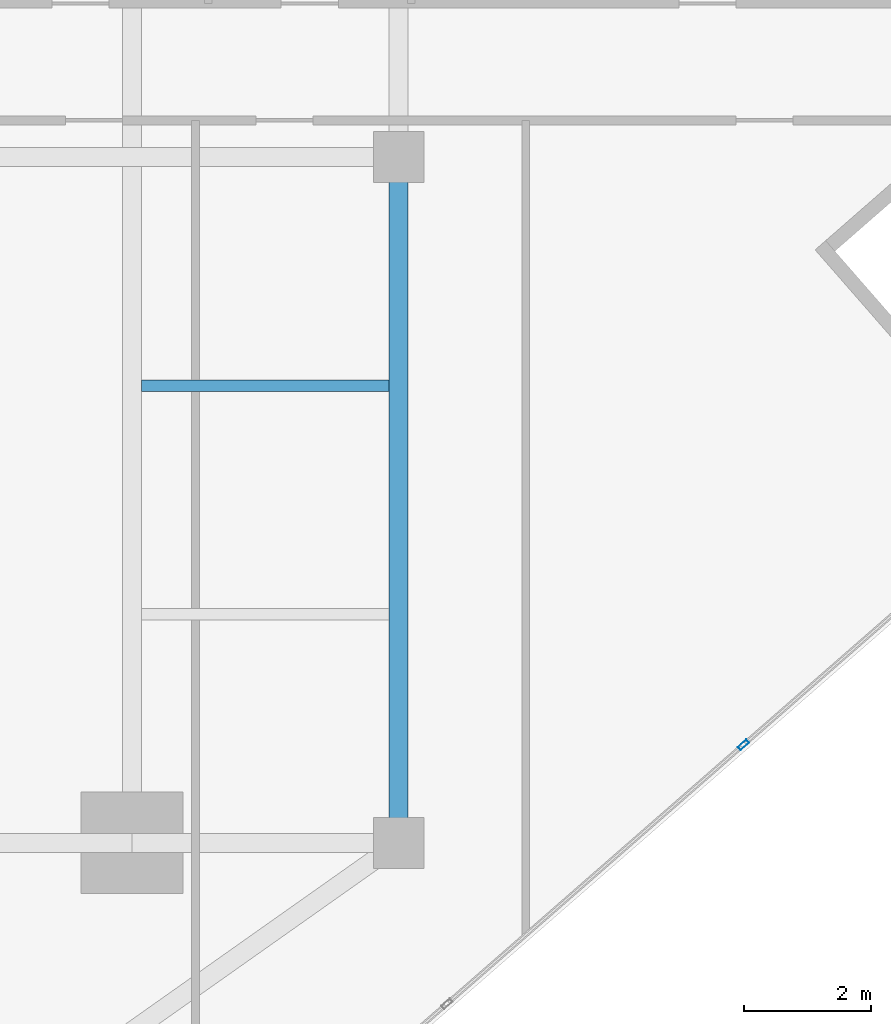
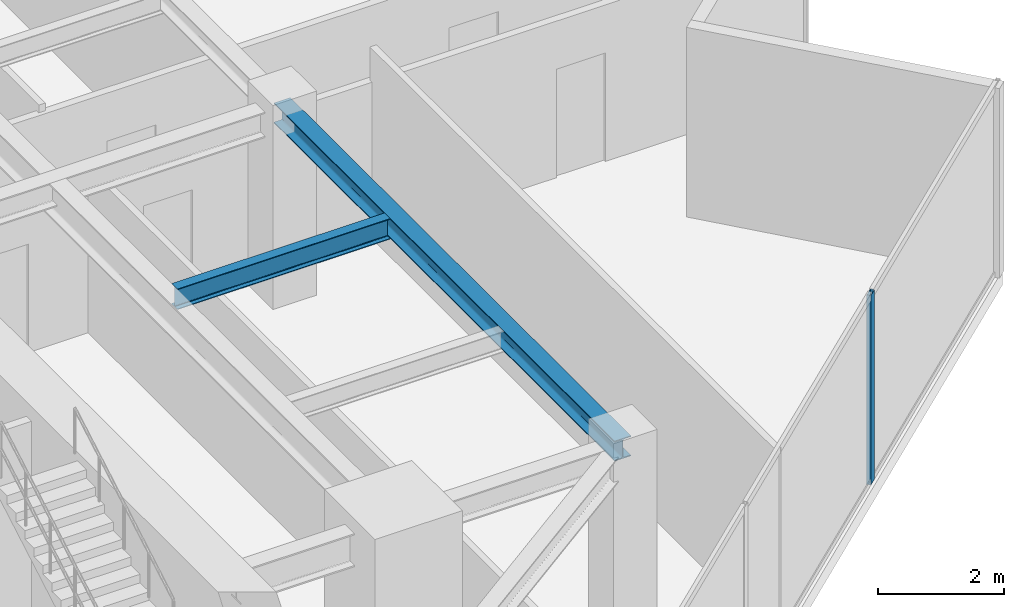
# One storey, part 10 of 24: 2 beams, 1 member, 1 element without a shape of its own.
"""IFC4 building model written with IfcOpenShell, lengths in metres."""

from ifc_helpers import new_model, si_unit, direction, frame, origin, origin_2d, place, context, subcontext, project, spatial, hollow_rectangle, i_section, extrude, source, transform, mapped, material, material_profile, profile_set, type_object, type_shapes, element, aggregate, save


model = new_model("IFC4")

# Units and contexts
model_context = context("Model", 3, precision=1e-05, world=origin(), true_north=direction((0.0, 1.0)))
body_context = subcontext(model_context, "Body", "Model", "MODEL_VIEW")
ifc_project = project(units=[si_unit("LENGTHUNIT", "METRE"), si_unit("AREAUNIT", "SQUARE_METRE"), si_unit("VOLUMEUNIT", "CUBIC_METRE"), si_unit("PLANEANGLEUNIT", "RADIAN"), si_unit("MASSUNIT", "GRAM", prefix="KILO")], contexts=[model_context])

# Site, building, storey
site_placement = place(None, origin())
site = spatial("IfcSite", under=ifc_project, at=site_placement, CompositionType="ELEMENT")
building_placement = place(site_placement, origin())
building = spatial("IfcBuilding", under=site, at=building_placement, Name="Krantzveldt Concourse Tower", CompositionType="ELEMENT")
storey_placement = place(building_placement, frame((0.0, 0.0, 250.75)))
storey = spatial("IfcBuildingStorey", under=building, at=storey_placement, Name="L61", CompositionType="ELEMENT", Elevation=250.75)

# Beams
ifc_material_1 = material(Name="Steel S355JR", Category="steel")
ifc_material_profile_1 = material_profile(ifc_material_1, i_section(OverallWidth=0.300048828125, OverallDepth=0.389892578125, WebThickness=0.010986328125, FlangeThickness=0.01904296875, FilletRadius=0.027099609375, at=origin_2d()), Name="Steel S355JR", Category="steel")
ifc_profile_set_1 = profile_set([ifc_material_profile_1], Name="Steel S355JR - HEA 400")
beam_type_1 = type_object("IfcBeamType", Name="BM-SP-HEA400", PredefinedType="SPANDREL", material=ifc_profile_set_1)
shared_shape_1 = source(origin(), body_context, "Body", "SweptSolid", [
    extrude(i_section(OverallWidth=0.300048828125, OverallDepth=0.389892578125, WebThickness=0.010986328125, FlangeThickness=0.01904296875, FilletRadius=0.027099609375, at=origin_2d()), origin(), (0.0, 0.0, 1.0), 10.800048828125),
])
type_shapes(beam_type_1, [shared_shape_1])
beam_1_placement = place(storey_placement, frame((51.0, 26.699951171875, 3.47509765625), z_axis=(0.0, -1.0, 0.0), x_axis=(1.0, 0.0, 0.0)))
element("IfcBeam", 1, at=beam_1_placement, inside=storey, type_object=beam_type_1, Name="L61 Tower Girder SP-R07", PredefinedType="SPANDREL", context=body_context, shape_type="MappedRepresentation", body=[
    mapped(shared_shape_1, transform((0.0, 0.0, 0.0), x_axis=(1.0, 0.0, 0.0), y_axis=(0.0, 1.0, 0.0), z_axis=(0.0, 0.0, 1.0), scale=1.0)),
])
ifc_material_profile_2 = material_profile(ifc_material_1, i_section(OverallWidth=0.179931640625, OverallDepth=0.39990234375, WebThickness=0.008544921875, FlangeThickness=0.013427734375, FilletRadius=0.02099609375, at=origin_2d()), Name="Steel S355JR", Category="steel")
ifc_profile_set_2 = profile_set([ifc_material_profile_2], Name="Steel S355JR - IPE 400")
beam_type_2 = type_object("IfcBeamType", Name="BM-J-IPE400", PredefinedType="JOIST", material=ifc_profile_set_2)
shared_shape_2 = source(origin(), body_context, "Body", "SweptSolid", [
    extrude(i_section(OverallWidth=0.179931640625, OverallDepth=0.39990234375, WebThickness=0.008544921875, FlangeThickness=0.013427734375, FilletRadius=0.02099609375, at=origin_2d()), origin(), (0.0, 0.0, 1.0), 3.900146484375),
])
type_shapes(beam_type_2, [shared_shape_2])
beam_2_placement = place(storey_placement, frame((46.949951171875, 23.10009765625, 3.469970703125), z_axis=(1.0, 0.0, 0.0), x_axis=(0.0, 1.0, 0.0)))
element("IfcBeam", 2, at=beam_2_placement, inside=storey, type_object=beam_type_2, Name="L61 Secondary Floor Joist JE-2", PredefinedType="JOIST", context=body_context, shape_type="MappedRepresentation", body=[
    mapped(shared_shape_2, transform((0.0, 0.0, 0.0), x_axis=(1.0, 0.0, 0.0), y_axis=(0.0, 1.0, 0.0), z_axis=(0.0, 0.0, 1.0), scale=1.0)),
])

# Curtain wall, member
ifc_material_2 = material(Name="Anodised aluminium 6063-T6", Category="aluminium")
curtain_wall_type = type_object("IfcCurtainWallType", Name="CW3", PredefinedType="USERDEFINED", material=ifc_material_2)
curtain_wall_placement = place(storey_placement, origin())
curtain_wall = element("IfcCurtainWall", 3, at=curtain_wall_placement, inside=storey, type_object=curtain_wall_type, Name="CW-L61-F07", ObjectType="UNITISED CURTAIN WALL", PredefinedType="USERDEFINED")
ifc_material_profile_3 = material_profile(ifc_material_2, hollow_rectangle(XDim=0.070068359375, YDim=0.179931640625, WallThickness=0.0048828125, at=origin_2d()), Name="Anodised aluminium 6063-T6", Category="aluminium")
ifc_profile_set_3 = profile_set([ifc_material_profile_3], Name="Anodised aluminium 6063-T6 - ALU-MULL 180x70x5")
member_type = type_object("IfcMemberType", Name="CW-MUL-180", PredefinedType="MULLION", material=ifc_profile_set_3)
shared_shape_3 = source(origin(), body_context, "Body", "SweptSolid", [
    extrude(hollow_rectangle(XDim=0.070068359375, YDim=0.179931640625, WallThickness=0.0048828125, at=origin_2d()), origin(), (0.0, 0.0, 1.0), 3.669921875),
])
type_shapes(member_type, [shared_shape_3])
member_placement = place(storey_placement, frame((56.42919921875, 17.4423828125, 0.0), z_axis=(0.0, 0.0, 1.0), x_axis=(-0.657703938567, 0.753276529034, 0.0)))
member = element("IfcMember", 4, at=member_placement, type_object=member_type, Name="CW-Z34 mullion 5", PredefinedType="MULLION", context=body_context, shape_type="MappedRepresentation", body=[
    mapped(shared_shape_3, transform((0.0, 0.0, 0.0), x_axis=(1.0, 0.0, 0.0), y_axis=(0.0, 1.0, 0.0), z_axis=(0.0, 0.0, 1.0), scale=1.0)),
])
aggregate(curtain_wall, [member])

save(model, "model.ifc")
